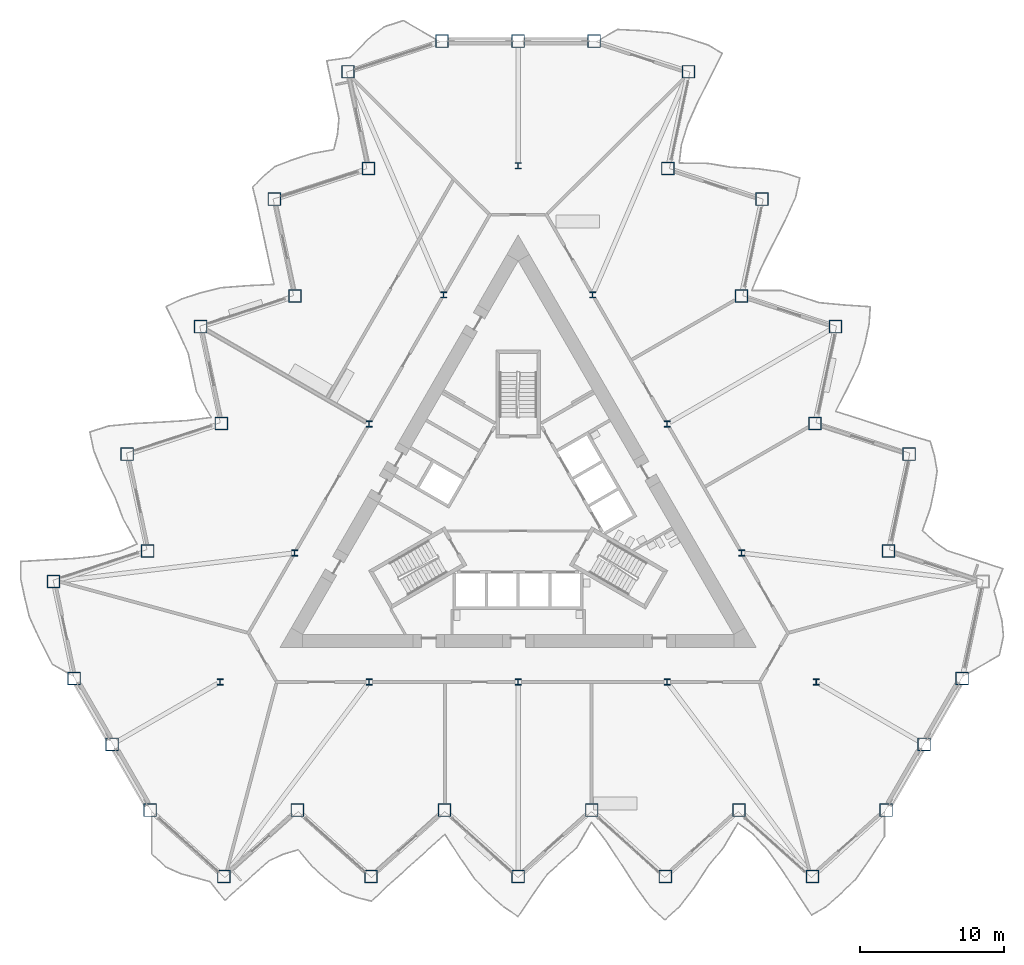
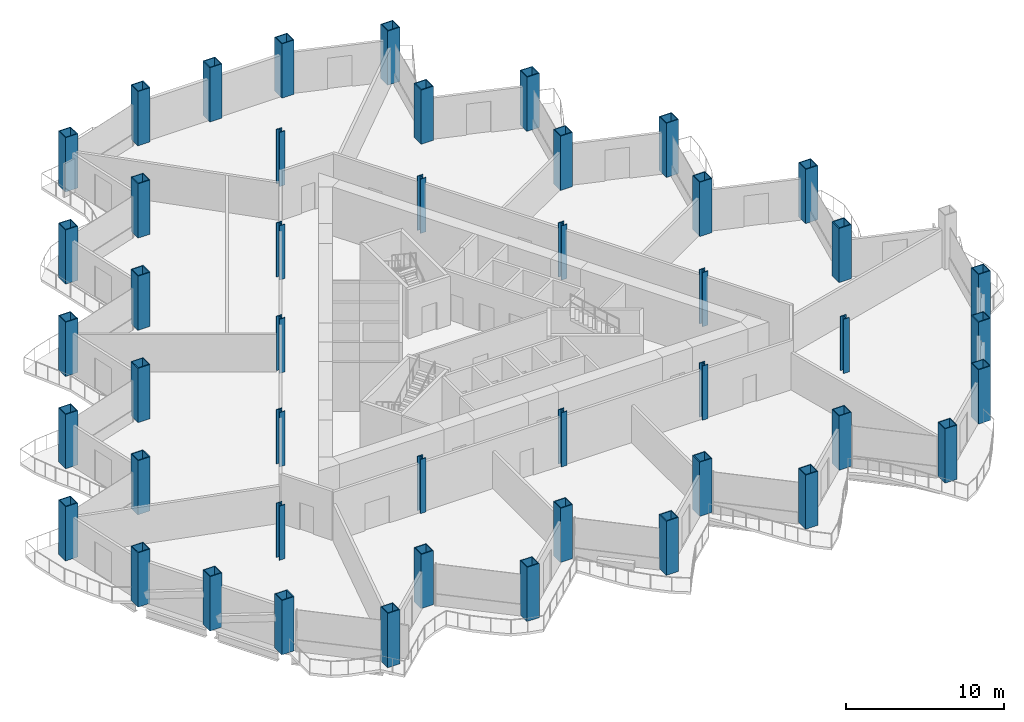
# One storey, part 1 of 21: 47 columns.
"""IFC4 building model written with IfcOpenShell, lengths in metres."""

from ifc_helpers import new_model, si_unit, direction, frame, origin, origin_2d, place, context, subcontext, project, spatial, hollow_rectangle, i_section, extrude, material, material_profile, profile_set, type_object, element, save


model = new_model("IFC4")

# Units and contexts
model_context = context("Model", 3, precision=1e-05, world=origin(), true_north=direction((0.0, 1.0)))
body_context = subcontext(model_context, "Body", "Model", "MODEL_VIEW")
ifc_project = project(units=[si_unit("LENGTHUNIT", "METRE"), si_unit("AREAUNIT", "SQUARE_METRE"), si_unit("VOLUMEUNIT", "CUBIC_METRE"), si_unit("PLANEANGLEUNIT", "RADIAN"), si_unit("MASSUNIT", "GRAM", prefix="KILO")], contexts=[model_context])

# Site, building, storey
site_placement = place(None, origin())
site = spatial("IfcSite", under=ifc_project, at=site_placement, CompositionType="ELEMENT")
building_placement = place(site_placement, origin())
building = spatial("IfcBuilding", under=site, at=building_placement, Name="Cormorant Prow Tower", CompositionType="ELEMENT")
storey_placement = place(building_placement, frame((0.0, 0.0, 145.800048828125)))
storey = spatial("IfcBuildingStorey", under=building, at=storey_placement, Name="L31", CompositionType="ELEMENT", Elevation=145.800048828125)

# Columns
ifc_material_1 = material(Name="Structural steel ASTM A572 Gr 50", Category="steel")
ifc_material_profile_1 = material_profile(ifc_material_1, hollow_rectangle(XDim=0.89990234375, YDim=0.89990234375, WallThickness=0.06005859375, at=origin_2d()), Name="Box 900x900x60")
ifc_profile_set_1 = profile_set([ifc_material_profile_1], Name="Structural steel ASTM A572 Gr 50")
column_type_1 = type_object("IfcColumnType", Name="Perimeter box column 900x900x60", PredefinedType="COLUMN", material=ifc_profile_set_1)
for number, where, z_axis, x_axis, name in (
    (1, (-25.499755859375, -20.80712890625, 0.0), (0.0, 0.0, 1.0), (1.0, 0.0, 0.0), "Perimeter column C3 at S00 L31"),
    (2, (-20.399658203125, -25.399169921875, 0.0), (0.0, 0.0, 1.0), (1.0, 0.0, 0.0), "Perimeter column C3 at S01 L31"),
    (3, (-15.2998046875, -20.80712890625, 0.0), (0.0, 0.0, 1.0), (1.0, 0.0, 0.0), "Perimeter column C3 at S02 L31"),
    (4, (-10.199951171875, -25.399169921875, 0.0), (0.0, 0.0, 1.0), (1.0, 0.0, 0.0), "Perimeter column C3 at S03 L31"),
    (5, (-5.099853515625, -20.80712890625, 0.0), (0.0, 0.0, 1.0), (1.0, 0.0, 0.0), "Perimeter column C3 at S04 L31"),
    (6, (0.0, -25.399169921875, 0.0), (0.0, 0.0, 1.0), (1.0, 0.0, 0.0), "Perimeter column C3 at S05 L31"),
    (7, (5.099853515625, -20.80712890625, 0.0), (0.0, 0.0, 1.0), (1.0, 0.0, 0.0), "Perimeter column C3 at S06 L31"),
    (8, (10.199951171875, -25.399169921875, 0.0), (0.0, 0.0, 1.0), (1.0, 0.0, 0.0), "Perimeter column C3 at S07 L31"),
    (9, (15.2998046875, -20.80712890625, 0.0), (0.0, 0.0, 1.0), (1.0, 0.0, 0.0), "Perimeter column C3 at S08 L31"),
    (10, (20.399658203125, -25.399169921875, 0.0), (0.0, 0.0, 1.0), (1.0, 0.0, 0.0), "Perimeter column C3 at S09 L31"),
    (11, (25.499755859375, -20.80712890625, 0.0), (0.0, 0.0, 1.0), (1.0, 0.0, 0.0), "Perimeter column C3 at ESE00 L31"),
    (12, (28.134521484375, -16.243408203125, 0.0), (0.0, 0.0, 1.0), (1.0, 0.0, 0.0), "Perimeter column C3 at ESE01 L31"),
    (13, (30.769287109375, -11.679931640625, 0.0), (0.0, 0.0, 1.0), (1.0, 0.0, 0.0), "Perimeter column C3 at ENE00 L31"),
    (14, (25.66943359375, -2.846435546875, 0.0), (0.0, 0.0, 1.0), (1.0, 0.0, 0.0), "Perimeter column C3 at ENE02 L31"),
    (15, (27.09619140625, 3.8662109375, 0.0), (0.0, 0.0, 1.0), (1.0, 0.0, 0.0), "Perimeter column C3 at ENE03 L31"),
    (16, (20.569580078125, 5.98681640625, 0.0), (0.0, 0.0, 1.0), (1.0, 0.0, 0.0), "Perimeter column C3 at ENE04 L31"),
    (17, (21.996337890625, 12.699462890625, 0.0), (0.0, 0.0, 1.0), (1.0, 0.0, 0.0), "Perimeter column C3 at ENE05 L31"),
    (18, (15.469482421875, 14.8203125, 0.0), (0.0, 0.0, 1.0), (1.0, 0.0, 0.0), "Perimeter column C3 at ENE06 L31"),
    (19, (16.896240234375, 21.532958984375, 0.0), (0.0, 0.0, 1.0), (1.0, 0.0, 0.0), "Perimeter column C3 at ENE07 L31"),
    (20, (10.36962890625, 23.653564453125, 0.0), (0.0, 0.0, 1.0), (1.0, 0.0, 0.0), "Perimeter column C3 at ENE08 L31"),
    (21, (11.79638671875, 30.3662109375, 0.0), (0.0, 0.0, 1.0), (1.0, 0.0, 0.0), "Perimeter column C3 at ENE09 L31"),
    (22, (5.269775390625, 32.487060546875, 0.0), (0.0, 0.0, 1.0), (1.0, 0.0, 0.0), "Perimeter column C3 at N00 L31"),
    (23, (0.0, 32.487060546875, 0.0), (0.0, 0.0, 1.0), (1.0, 0.0, 0.0), "Perimeter column C3 at N01 L31"),
    (24, (-5.269775390625, 32.487060546875, 0.0), (0.0, 0.0, 1.0), (1.0, 0.0, 0.0), "Perimeter column C3 at WNW00 L31"),
    (25, (-11.79638671875, 30.3662109375, 0.0), (0.0, 0.0, 1.0), (1.0, 0.0, 0.0), "Perimeter column C3 at WNW01 L31"),
    (26, (-10.36962890625, 23.653564453125, 0.0), (0.0, 0.0, 1.0), (1.0, 0.0, 0.0), "Perimeter column C3 at WNW02 L31"),
    (27, (-16.896240234375, 21.532958984375, 0.0), (0.0, 0.0, 1.0), (1.0, 0.0, 0.0), "Perimeter column C3 at WNW03 L31"),
    (28, (-15.469482421875, 14.8203125, 0.0), (0.0, 0.0, 1.0), (1.0, 0.0, 0.0), "Perimeter column C3 at WNW04 L31"),
    (29, (-21.996337890625, 12.699462890625, 0.0), (0.0, 0.0, 1.0), (1.0, 0.0, 0.0), "Perimeter column C3 at WNW05 L31"),
    (30, (-20.569580078125, 5.98681640625, 0.0), (0.0, 0.0, 1.0), (1.0, 0.0, 0.0), "Perimeter column C3 at WNW06 L31"),
    (31, (-27.09619140625, 3.8662109375, 0.0), (0.0, 0.0, 1.0), (1.0, 0.0, 0.0), "Perimeter column C3 at WNW07 L31"),
    (32, (-25.66943359375, -2.846435546875, 0.0), (0.0, 0.0, 1.0), (1.0, 0.0, 0.0), "Perimeter column C3 at WNW08 L31"),
    (33, (-32.1962890625, -4.967041015625, 0.0), (0.0, 0.0, 1.0), (1.0, 0.0, 0.0), "Perimeter column C3 at WNW09 L31"),
    (34, (-30.769287109375, -11.679931640625, 0.0), (0.0, 0.0, 1.0), (1.0, 0.0, 0.0), "Perimeter column C3 at WSW00 L31"),
    (35, (-28.134521484375, -16.243408203125, 0.0), (0.0, 0.0, 1.0), (1.0, 0.0, 0.0), "Perimeter column C3 at WSW01 L31"),
):
    element("IfcColumn", number, at=place(storey_placement, frame(where, z_axis=z_axis, x_axis=x_axis)), inside=storey, type_object=column_type_1, Name=name, PredefinedType="COLUMN", context=body_context, shape_type="SweptSolid", body=[
        extrude(hollow_rectangle(XDim=0.89990234375, YDim=0.89990234375, WallThickness=0.06005859375, at=origin_2d()), origin(), (0.0, 0.0, 1.0), 4.199951171875),
    ])
ifc_material_2 = material(Name="Structural steel ASTM A992 Gr 50", Category="steel")
ifc_material_profile_2 = material_profile(ifc_material_2, i_section(OverallWidth=0.412109375, OverallDepth=0.434814453125, WebThickness=0.035888671875, FlangeThickness=0.057373046875, at=origin_2d()), Name="W14x311")
ifc_profile_set_2 = profile_set([ifc_material_profile_2], Name="Structural steel ASTM A992 Gr 50")
column_type_2 = type_object("IfcColumnType", Name="Ring column W14x311", PredefinedType="COLUMN", material=ifc_profile_set_2)
for number, where, z_axis, x_axis, name in (
    (36, (0.0, 23.8525390625, 0.0), (0.0, 0.0, 1.0), (1.0, 0.0, 0.0), "Ring column 1 L31"),
    (37, (-5.164306640625, 14.907958984375, 0.0), (0.0, 0.0, 1.0), (1.0, 0.0, 0.0), "Ring column 2 L31"),
    (38, (-10.328369140625, 5.963134765625, 0.0), (0.0, 0.0, 1.0), (1.0, 0.0, 0.0), "Ring column 3 L31"),
    (39, (-15.49267578125, -2.981689453125, 0.0), (0.0, 0.0, 1.0), (1.0, 0.0, 0.0), "Ring column 4 L31"),
    (40, (-20.656982421875, -11.92626953125, 0.0), (0.0, 0.0, 1.0), (1.0, 0.0, 0.0), "Ring column 5 L31"),
    (41, (-10.328369140625, -11.92626953125, 0.0), (0.0, 0.0, 1.0), (1.0, 0.0, 0.0), "Ring column 6 L31"),
    (42, (0.0, -11.92626953125, 0.0), (0.0, 0.0, 1.0), (1.0, 0.0, 0.0), "Ring column 7 L31"),
    (43, (10.328369140625, -11.92626953125, 0.0), (0.0, 0.0, 1.0), (1.0, 0.0, 0.0), "Ring column 8 L31"),
    (44, (20.656982421875, -11.92626953125, 0.0), (0.0, 0.0, 1.0), (1.0, 0.0, 0.0), "Ring column 9 L31"),
    (45, (15.49267578125, -2.981689453125, 0.0), (0.0, 0.0, 1.0), (1.0, 0.0, 0.0), "Ring column 10 L31"),
    (46, (10.328369140625, 5.963134765625, 0.0), (0.0, 0.0, 1.0), (1.0, 0.0, 0.0), "Ring column 11 L31"),
    (47, (5.164306640625, 14.907958984375, 0.0), (0.0, 0.0, 1.0), (1.0, 0.0, 0.0), "Ring column 12 L31"),
):
    element("IfcColumn", number, at=place(storey_placement, frame(where, z_axis=z_axis, x_axis=x_axis)), inside=storey, type_object=column_type_2, Name=name, PredefinedType="COLUMN", context=body_context, shape_type="SweptSolid", body=[
        extrude(i_section(OverallWidth=0.412109375, OverallDepth=0.434814453125, WebThickness=0.035888671875, FlangeThickness=0.057373046875, at=origin_2d()), origin(), (0.0, 0.0, 1.0), 4.199951171875),
    ])

save(model, "model.ifc")
